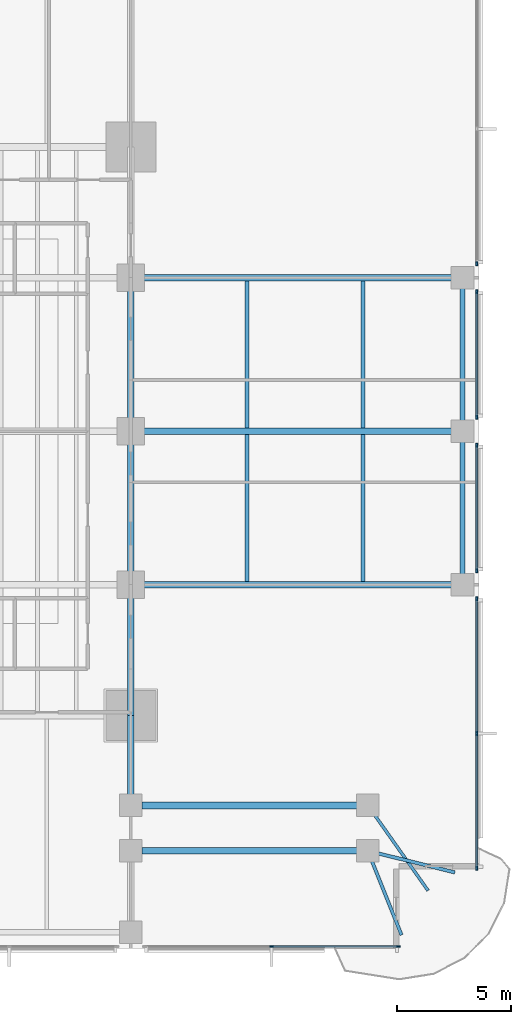
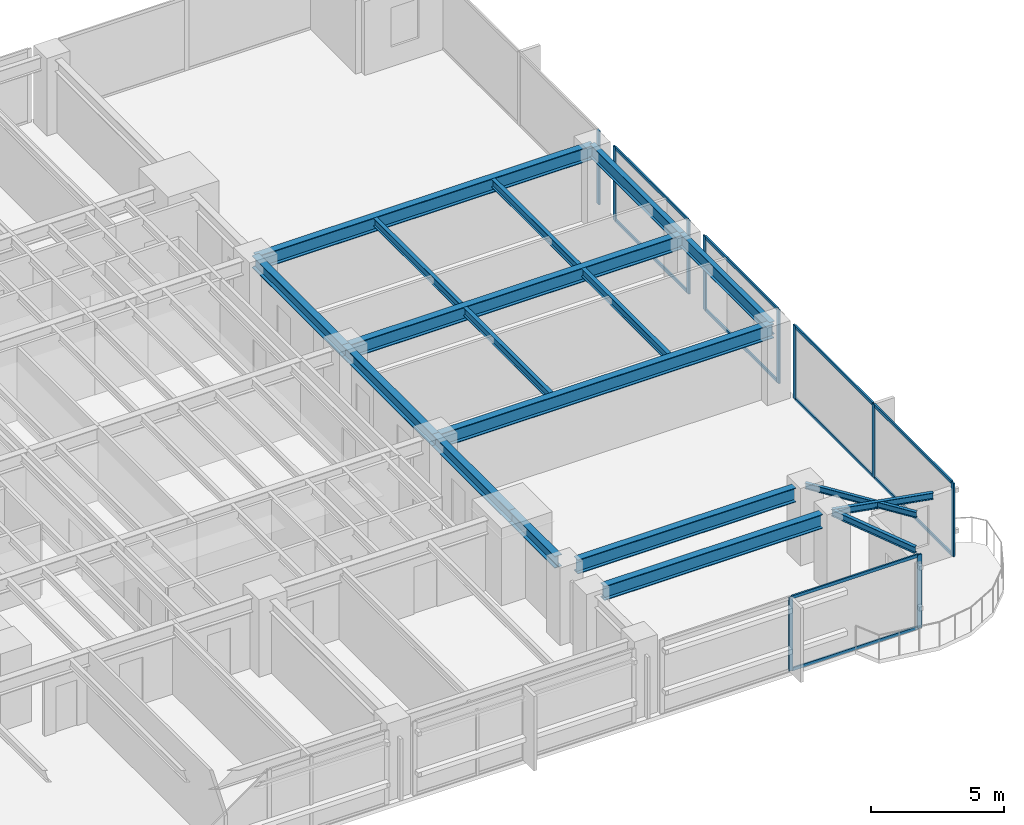
# One storey, part 4 of 15: 20 members, 18 beams, 5 elements without a shape of their own.
"""IFC4 building model written with IfcOpenShell, lengths in metres."""

import ifcopenshell
import ifcopenshell.guid

model = None  # the IFC model being written
_history = None  # IfcOwnerHistory: only IFC2X3 demands one
_inside = {}  # id of a spatial element -> (the spatial element, [elements in it])
_under = {}  # id of a project, library or spatial element -> (it, [spatial elements below it])
_declared = {}  # id of a project -> (the project, [libraries it declares])
_typed = {}  # id of a type object -> (the type object, [elements of that type])
_made_of = {}  # id of a material, layer set ... -> (it, [elements and type objects made of it])


def new_model(schema):
    """Start an empty IFC model of exactly this schema.

    Asked for "IFC4X3", IfcOpenShell would pick the latest addendum, in which some entities
    have other attributes; the version numbers below select the first issue.
    IFC2X3 requires an IfcOwnerHistory on every rooted entity: one is made here for all.
    """
    global model, _history
    if schema == "IFC4X3":
        model = ifcopenshell.file(schema_version=(4, 3, 0, 0))
    else:
        model = ifcopenshell.file(schema=schema)
    _inside.clear()
    _under.clear()
    _declared.clear()
    _typed.clear()
    _made_of.clear()
    _history = None
    if model.schema == "IFC2X3":
        org = make("IfcOrganization", Name="unknown")
        user = make(
            "IfcPersonAndOrganization",
            ThePerson=make("IfcPerson", FamilyName="unknown"),
            TheOrganization=org,
        )
        app = make(
            "IfcApplication",
            ApplicationDeveloper=org,
            Version="unknown",
            ApplicationFullName="unknown",
            ApplicationIdentifier="unknown",
        )
        _history = make(
            "IfcOwnerHistory",
            OwningUser=user,
            OwningApplication=app,
            ChangeAction="ADDED",
            CreationDate=0,
        )
    return model


def make(cls, **values):
    """One entity of the class cls with the attributes given. An attribute that is None is left unset."""
    return model.create_entity(
        cls, **{name: value for name, value in values.items() if value is not None}
    )


def rooted(cls, **values):
    """An entity with a GlobalId (a new one), such as an element, a storey or a relation."""
    return make(cls, GlobalId=ifcopenshell.guid.new(), OwnerHistory=_history, **values)


def si_unit(unit_type, name, prefix=None):
    """IfcSIUnit, for example si_unit("LENGTHUNIT", "METRE", prefix="MILLI")."""
    return make("IfcSIUnit", UnitType=unit_type, Prefix=prefix, Name=name)


def assignment(units):
    """IfcUnitAssignment: the units of a project."""
    return None if units is None else make("IfcUnitAssignment", Units=units)


def point(xyz):
    """IfcCartesianPoint."""
    return None if xyz is None else make("IfcCartesianPoint", Coordinates=xyz)


def direction(xyz):
    """IfcDirection."""
    return None if xyz is None else make("IfcDirection", DirectionRatios=xyz)


def frame(location, z_axis=None, x_axis=None):
    """IfcAxis2Placement3D, a coordinate frame: its origin and axes. An axis left out is left unset."""
    return make(
        "IfcAxis2Placement3D",
        Location=point(location),
        Axis=direction(z_axis),
        RefDirection=direction(x_axis),
    )


def frame_2d(location, x_axis=None):
    """IfcAxis2Placement2D, a coordinate frame in the plane: its origin and x axis."""
    return make(
        "IfcAxis2Placement2D", Location=point(location), RefDirection=direction(x_axis)
    )


def origin():
    """The frame at (0, 0, 0) with its axes left unset."""
    return frame((0.0, 0.0, 0.0))


def origin_2d():
    """The frame at (0, 0) in the plane with its x axis left unset."""
    return frame_2d((0.0, 0.0))


def place(relative_to, where):
    """IfcLocalPlacement: puts the frame where relative to a parent placement (None: the world)."""
    return make(
        "IfcLocalPlacement", PlacementRelTo=relative_to, RelativePlacement=where
    )


def context(
    kind, dimensions, precision=None, world=None, true_north=None, identifier=None
):
    """IfcGeometricRepresentationContext, for example the 3D "Model" context."""
    return make(
        "IfcGeometricRepresentationContext",
        ContextIdentifier=identifier,
        ContextType=kind,
        CoordinateSpaceDimension=dimensions,
        Precision=precision,
        WorldCoordinateSystem=world,
        TrueNorth=true_north,
    )


def subcontext(parent, identifier, kind, view, scale=None):
    """IfcGeometricRepresentationSubContext, for example "Body" below "Model"."""
    return make(
        "IfcGeometricRepresentationSubContext",
        ContextIdentifier=identifier,
        ContextType=kind,
        ParentContext=parent,
        TargetScale=scale,
        TargetView=view,
    )


def project(units=None, contexts=None):
    """IfcProject with its units and contexts."""
    return rooted(
        "IfcProject",
        Name="project",
        RepresentationContexts=contexts,
        UnitsInContext=assignment(units),
    )


def spatial(cls, under=None, at=None, **own):
    """A site, building, storey or space (cls), placed at a placement, below another one or the project."""
    s = rooted(cls, ObjectPlacement=at, **own)
    if under is not None:
        _under.setdefault(under.id(), (under, []))[1].append(s)
    return s


def profile(cls, at=None, kind="AREA", **sizes):
    """A parametric profile (cls). Its sizes go by their IFC names, for example OverallWidth=200.0."""
    return make(cls, ProfileType=kind, Position=at, **sizes)


def rectangle(**sizes):
    """IfcRectangleProfileDef."""
    return profile("IfcRectangleProfileDef", **sizes)


def i_section(**sizes):
    """IfcIShapeProfileDef."""
    return profile("IfcIShapeProfileDef", **sizes)


def extrude(swept, where, along, depth):
    """IfcExtrudedAreaSolid: the profile swept, set in the frame where, extruded along a direction by depth."""
    return make(
        "IfcExtrudedAreaSolid",
        SweptArea=swept,
        Position=where,
        ExtrudedDirection=direction(along),
        Depth=depth,
    )


def shape(context_of_items, identifier, shape_type, items):
    """IfcShapeRepresentation: the items that make up one representation, for example the "Body"."""
    return make(
        "IfcShapeRepresentation",
        ContextOfItems=context_of_items,
        RepresentationIdentifier=identifier,
        RepresentationType=shape_type,
        Items=items,
    )


def material(Name=None, Category=None):
    """IfcMaterial."""
    return make("IfcMaterial", Name=Name, Category=Category)


def layer(
    of_material, thickness, ventilated=None, Name=None, Category=None, Priority=None
):
    """IfcMaterialLayer: one layer of a wall or slab, of a material (None: an air gap)."""
    return make(
        "IfcMaterialLayer",
        Material=of_material,
        LayerThickness=thickness,
        IsVentilated=ventilated,
        Name=Name,
        Category=Category,
        Priority=Priority,
    )


def layer_set(layers, Name=None):
    """IfcMaterialLayerSet."""
    return make("IfcMaterialLayerSet", MaterialLayers=layers, LayerSetName=Name)


def material_profile(
    of_material, cross_section, Name=None, Category=None, Priority=None
):
    """IfcMaterialProfile: a cross section and its material."""
    return make(
        "IfcMaterialProfile",
        Name=Name,
        Material=of_material,
        Profile=cross_section,
        Priority=Priority,
        Category=Category,
    )


def profile_set(profiles, Name=None, composite=None):
    """IfcMaterialProfileSet."""
    return make(
        "IfcMaterialProfileSet",
        Name=Name,
        MaterialProfiles=profiles,
        CompositeProfile=composite,
    )


def made_of(thing, what):
    """Note that an element or type object is made of a material, layer set ...; save() writes the relation."""
    if what is not None:
        _made_of.setdefault(what.id(), (what, []))[1].append(thing)
    return thing


def type_object(cls, material=None, **own):
    """A type object (cls), such as IfcWallType, which elements share."""
    return made_of(rooted(cls, **own), material)


def element(
    cls,
    number,
    at=None,
    inside=None,
    cuts=None,
    type_object=None,
    material=None,
    context=None,
    identifier="Body",
    shape_type=None,
    held_by="IfcProductDefinitionShape",
    body=None,
    shapes=None,
    **own,
):
    """One element of the class cls, such as IfcWall. Its Tag is "e" and its number.

    at: its placement. inside: the storey or other place that contains it. cuts: it is an
    opening in that element (IfcRelVoidsElement). A single representation is given by context,
    identifier, shape_type and body (its items); several are given by shapes. held_by: the class
    of the entity that holds the representations. save() writes the other relations.
    """
    e = rooted(cls, Tag="e%d" % number, ObjectPlacement=at, **own)
    if body is not None:
        shapes = [shape(context, identifier, shape_type, body)]
    if shapes is not None:
        e.Representation = make(held_by, Representations=shapes)
    if inside is not None:
        _inside.setdefault(inside.id(), (inside, []))[1].append(e)
    if cuts is not None:
        rooted(
            "IfcRelVoidsElement", RelatingBuildingElement=cuts, RelatedOpeningElement=e
        )
    if type_object is not None:
        _typed.setdefault(type_object.id(), (type_object, []))[1].append(e)
    return made_of(e, material)


def aggregate(whole, parts):
    """IfcRelAggregates: a whole, such as a stair, and the parts it consists of."""
    return rooted("IfcRelAggregates", RelatingObject=whole, RelatedObjects=parts)


def save(model, path):
    """Write the relations noted so far, then the file.

    IfcRelAggregates (storeys below a building ...), IfcRelContainedInSpatialStructure (elements
    in a storey), IfcRelDefinesByType, IfcRelAssociatesMaterial and IfcRelDeclares: one each for
    every whole, place, type object, material and project.
    """
    for whole, parts in _under.values():
        aggregate(whole, parts)
    for where, things in _inside.values():
        rooted(
            "IfcRelContainedInSpatialStructure",
            RelatedElements=things,
            RelatingStructure=where,
        )
    for kind, things in _typed.values():
        rooted("IfcRelDefinesByType", RelatedObjects=things, RelatingType=kind)
    for what, things in _made_of.values():
        rooted("IfcRelAssociatesMaterial", RelatedObjects=things, RelatingMaterial=what)
    for by, libraries in _declared.values():
        rooted("IfcRelDeclares", RelatingContext=by, RelatedDefinitions=libraries)
    model.write(path)


model = new_model("IFC4")

# Units and contexts
model_context = context("Model", 3, precision=1e-05, world=origin(), true_north=direction((0.0, 1.0)))
body_context = subcontext(model_context, "Body", "Model", "MODEL_VIEW")
ifc_project = project(units=[si_unit("LENGTHUNIT", "METRE"), si_unit("AREAUNIT", "SQUARE_METRE"), si_unit("VOLUMEUNIT", "CUBIC_METRE"), si_unit("PLANEANGLEUNIT", "RADIAN"), si_unit("MASSUNIT", "GRAM", prefix="KILO")], contexts=[model_context])

# Site, building, storey
site_placement = place(None, origin())
site = spatial("IfcSite", under=ifc_project, at=site_placement, CompositionType="ELEMENT")
building_placement = place(site_placement, origin())
building = spatial("IfcBuilding", under=site, at=building_placement, Name="Kinhvarn Gate Tower", CompositionType="ELEMENT")
storey_placement = place(building_placement, frame((0.0, 0.0, 78.85009765625)))
storey = spatial("IfcBuildingStorey", under=building, at=storey_placement, Name="L20", CompositionType="ELEMENT", Elevation=78.85009765625)

# Curtain wall, members
ifc_material_1 = material(Name="Anodised aluminium AW-6063", Category="aluminium")
ifc_layer = layer(ifc_material_1, 0.179931640625)
ifc_layer_set = layer_set([ifc_layer], Name="Anodised aluminium AW-6063")
curtain_wall_type = type_object("IfcCurtainWallType", Name="CW-SYS-2", PredefinedType="NOTDEFINED", material=ifc_layer_set)
curtain_wall_1_placement = place(storey_placement, origin())
curtain_wall_1 = element("IfcCurtainWall", 1, at=curtain_wall_1_placement, inside=storey, type_object=curtain_wall_type, Name="Curtain Wall CW2 (L20)", PredefinedType="NOTDEFINED")
ifc_material_profile_1 = material_profile(ifc_material_1, rectangle(XDim=0.070068359375, YDim=0.179931640625, at=origin_2d()), Name="ALU 70x180")
ifc_profile_set_1 = profile_set([ifc_material_profile_1], Name="Anodised aluminium AW-6063")
member_type_1 = type_object("IfcMemberType", Name="CW-MUL-180", PredefinedType="MULLION", material=ifc_profile_set_1)
member_1_placement = place(storey_placement, frame((44.389892578125, 2.590087890625, 0.0), z_axis=(0.0, 0.0, 1.0), x_axis=(0.0, 1.0, 0.0)))
member_1 = element("IfcMember", 2, at=member_1_placement, type_object=member_type_1, Name="CW2 mullion 2", PredefinedType="MULLION", context=body_context, shape_type="SweptSolid", body=[
    extrude(rectangle(XDim=0.070068359375, YDim=0.179931640625, at=origin_2d()), origin(), (0.0, 0.0, 1.0), 3.369873046875),
])
member_2_placement = place(storey_placement, frame((49.965087890625, 2.590087890625, 0.0), z_axis=(0.0, 0.0, 1.0), x_axis=(0.0, 1.0, 0.0)))
member_2 = element("IfcMember", 3, at=member_2_placement, type_object=member_type_1, Name="CW2 mullion 3", PredefinedType="MULLION", context=body_context, shape_type="SweptSolid", body=[
    extrude(rectangle(XDim=0.070068359375, YDim=0.179931640625, at=origin_2d()), origin(), (0.0, 0.0, 1.0), 3.369873046875),
])

curtain_wall_2_placement = place(storey_placement, origin())
curtain_wall_2 = element("IfcCurtainWall", 4, at=curtain_wall_2_placement, inside=storey, type_object=curtain_wall_type, Name="Curtain Wall CW2 (L20)", PredefinedType="NOTDEFINED")
member_3_placement = place(storey_placement, frame((53.409912109375, 6.034912109375, 0.0), z_axis=(0.0, 0.0, 1.0), x_axis=(-1.0, 0.0, 0.0)))
member_3 = element("IfcMember", 5, at=member_3_placement, type_object=member_type_1, Name="CW2 mullion 1", PredefinedType="MULLION", context=body_context, shape_type="SweptSolid", body=[
    extrude(rectangle(XDim=0.070068359375, YDim=0.179931640625, at=origin_2d()), origin(), (0.0, 0.0, 1.0), 3.369873046875),
])
member_4_placement = place(storey_placement, frame((53.409912109375, 11.9599609375, 0.0), z_axis=(0.0, 0.0, 1.0), x_axis=(-1.0, 0.0, 0.0)))
member_4 = element("IfcMember", 6, at=member_4_placement, type_object=member_type_1, Name="CW2 mullion 2", PredefinedType="MULLION", context=body_context, shape_type="SweptSolid", body=[
    extrude(rectangle(XDim=0.070068359375, YDim=0.179931640625, at=origin_2d()), origin(), (0.0, 0.0, 1.0), 3.369873046875),
])
member_5_placement = place(storey_placement, frame((53.409912109375, 17.885009765625, 0.0), z_axis=(0.0, 0.0, 1.0), x_axis=(-1.0, 0.0, 0.0)))
member_5 = element("IfcMember", 7, at=member_5_placement, type_object=member_type_1, Name="CW2 mullion 3", PredefinedType="MULLION", context=body_context, shape_type="SweptSolid", body=[
    extrude(rectangle(XDim=0.070068359375, YDim=0.179931640625, at=origin_2d()), origin(), (0.0, 0.0, 1.0), 3.369873046875),
])

curtain_wall_3_placement = place(storey_placement, origin())
curtain_wall_3 = element("IfcCurtainWall", 8, at=curtain_wall_3_placement, inside=storey, type_object=curtain_wall_type, Name="Curtain Wall CW2 (L20)", PredefinedType="NOTDEFINED")
member_6_placement = place(storey_placement, frame((53.409912109375, 19.114990234375, 0.0), z_axis=(0.0, 0.0, 1.0), x_axis=(-1.0, 0.0, 0.0)))
member_6 = element("IfcMember", 9, at=member_6_placement, type_object=member_type_1, Name="CW2 mullion 1", PredefinedType="MULLION", context=body_context, shape_type="SweptSolid", body=[
    extrude(rectangle(XDim=0.070068359375, YDim=0.179931640625, at=origin_2d()), origin(), (0.0, 0.0, 1.0), 3.369873046875),
])
member_7_placement = place(storey_placement, frame((53.409912109375, 24.635009765625, 0.0), z_axis=(0.0, 0.0, 1.0), x_axis=(-1.0, 0.0, 0.0)))
member_7 = element("IfcMember", 10, at=member_7_placement, type_object=member_type_1, Name="CW2 mullion 2", PredefinedType="MULLION", context=body_context, shape_type="SweptSolid", body=[
    extrude(rectangle(XDim=0.070068359375, YDim=0.179931640625, at=origin_2d()), origin(), (0.0, 0.0, 1.0), 3.369873046875),
])

curtain_wall_4_placement = place(storey_placement, origin())
curtain_wall_4 = element("IfcCurtainWall", 11, at=curtain_wall_4_placement, inside=storey, type_object=curtain_wall_type, Name="Curtain Wall CW2 (L20)", PredefinedType="NOTDEFINED")
member_8_placement = place(storey_placement, frame((53.409912109375, 25.864990234375, 0.0), z_axis=(0.0, 0.0, 1.0), x_axis=(-1.0, 0.0, 0.0)))
member_8 = element("IfcMember", 12, at=member_8_placement, type_object=member_type_1, Name="CW2 mullion 1", PredefinedType="MULLION", context=body_context, shape_type="SweptSolid", body=[
    extrude(rectangle(XDim=0.070068359375, YDim=0.179931640625, at=origin_2d()), origin(), (0.0, 0.0, 1.0), 3.369873046875),
])
member_9_placement = place(storey_placement, frame((53.409912109375, 31.385009765625, 0.0), z_axis=(0.0, 0.0, 1.0), x_axis=(-1.0, 0.0, 0.0)))
member_9 = element("IfcMember", 13, at=member_9_placement, type_object=member_type_1, Name="CW2 mullion 2", PredefinedType="MULLION", context=body_context, shape_type="SweptSolid", body=[
    extrude(rectangle(XDim=0.070068359375, YDim=0.179931640625, at=origin_2d()), origin(), (0.0, 0.0, 1.0), 3.369873046875),
])

# Curtain wall, member
curtain_wall_5_placement = place(storey_placement, origin())
curtain_wall_5 = element("IfcCurtainWall", 14, at=curtain_wall_5_placement, inside=storey, type_object=curtain_wall_type, Name="Curtain Wall CW2 (L20)", PredefinedType="NOTDEFINED")
member_10_placement = place(storey_placement, frame((53.409912109375, 32.614990234375, 0.0), z_axis=(0.0, 0.0, 1.0), x_axis=(-1.0, 0.0, 0.0)))
member_10 = element("IfcMember", 15, at=member_10_placement, type_object=member_type_1, Name="CW2 mullion 1", PredefinedType="MULLION", context=body_context, shape_type="SweptSolid", body=[
    extrude(rectangle(XDim=0.070068359375, YDim=0.179931640625, at=origin_2d()), origin(), (0.0, 0.0, 1.0), 3.369873046875),
])
aggregate(curtain_wall_5, [member_10])

# Member
ifc_material_profile_2 = material_profile(ifc_material_1, rectangle(XDim=0.070068359375, YDim=0.139892578125, at=origin_2d()), Name="ALU 70x140")
ifc_profile_set_2 = profile_set([ifc_material_profile_2], Name="Anodised aluminium AW-6063")
member_type_2 = type_object("IfcMemberType", Name="CW-TRN-140", PredefinedType="USERDEFINED", material=ifc_profile_set_2)
member_11_placement = place(storey_placement, frame((44.425048828125, 2.590087890625, 0.034912109375), z_axis=(1.0, 0.0, 0.0), x_axis=(0.0, 1.0, 0.0)))
member_11 = element("IfcMember", 16, at=member_11_placement, type_object=member_type_2, Name="CW2 transom 2.1", ObjectType="TRANSOM", PredefinedType="USERDEFINED", context=body_context, shape_type="SweptSolid", body=[
    extrude(rectangle(XDim=0.070068359375, YDim=0.139892578125, at=origin_2d()), origin(), (0.0, 0.0, 1.0), 5.5048828125),
])

member_12_placement = place(storey_placement, frame((44.425048828125, 2.590087890625, 3.3349609375), z_axis=(1.0, 0.0, 0.0), x_axis=(0.0, 1.0, 0.0)))
member_12 = element("IfcMember", 17, at=member_12_placement, type_object=member_type_2, Name="CW2 transom 2.2", ObjectType="TRANSOM", PredefinedType="USERDEFINED", context=body_context, shape_type="SweptSolid", body=[
    extrude(rectangle(XDim=0.070068359375, YDim=0.139892578125, at=origin_2d()), origin(), (0.0, 0.0, 1.0), 5.5048828125),
])

aggregate(curtain_wall_1, [member_1, member_2, member_11, member_12])

member_13_placement = place(storey_placement, frame((53.409912109375, 6.070068359375, 0.034912109375), z_axis=(0.0, 1.0, 0.0), x_axis=(-1.0, 0.0, 0.0)))
member_13 = element("IfcMember", 18, at=member_13_placement, type_object=member_type_2, Name="CW2 transom 1.1", ObjectType="TRANSOM", PredefinedType="USERDEFINED", context=body_context, shape_type="SweptSolid", body=[
    extrude(rectangle(XDim=0.070068359375, YDim=0.139892578125, at=origin_2d()), origin(), (0.0, 0.0, 1.0), 5.85498046875),
])

member_14_placement = place(storey_placement, frame((53.409912109375, 6.070068359375, 3.3349609375), z_axis=(0.0, 1.0, 0.0), x_axis=(-1.0, 0.0, 0.0)))
member_14 = element("IfcMember", 19, at=member_14_placement, type_object=member_type_2, Name="CW2 transom 1.2", ObjectType="TRANSOM", PredefinedType="USERDEFINED", context=body_context, shape_type="SweptSolid", body=[
    extrude(rectangle(XDim=0.070068359375, YDim=0.139892578125, at=origin_2d()), origin(), (0.0, 0.0, 1.0), 5.85498046875),
])

member_15_placement = place(storey_placement, frame((53.409912109375, 11.9951171875, 0.034912109375), z_axis=(0.0, 1.0, 0.0), x_axis=(-1.0, 0.0, 0.0)))
member_15 = element("IfcMember", 20, at=member_15_placement, type_object=member_type_2, Name="CW2 transom 2.1", ObjectType="TRANSOM", PredefinedType="USERDEFINED", context=body_context, shape_type="SweptSolid", body=[
    extrude(rectangle(XDim=0.070068359375, YDim=0.139892578125, at=origin_2d()), origin(), (0.0, 0.0, 1.0), 5.85498046875),
])

member_16_placement = place(storey_placement, frame((53.409912109375, 11.9951171875, 3.3349609375), z_axis=(0.0, 1.0, 0.0), x_axis=(-1.0, 0.0, 0.0)))
member_16 = element("IfcMember", 21, at=member_16_placement, type_object=member_type_2, Name="CW2 transom 2.2", ObjectType="TRANSOM", PredefinedType="USERDEFINED", context=body_context, shape_type="SweptSolid", body=[
    extrude(rectangle(XDim=0.070068359375, YDim=0.139892578125, at=origin_2d()), origin(), (0.0, 0.0, 1.0), 5.85498046875),
])

aggregate(curtain_wall_2, [member_3, member_4, member_5, member_13, member_14, member_15, member_16])

member_17_placement = place(storey_placement, frame((53.409912109375, 19.14990234375, 0.034912109375), z_axis=(0.0, 1.0, 0.0), x_axis=(-1.0, 0.0, 0.0)))
member_17 = element("IfcMember", 22, at=member_17_placement, type_object=member_type_2, Name="CW2 transom 1.1", ObjectType="TRANSOM", PredefinedType="USERDEFINED", context=body_context, shape_type="SweptSolid", body=[
    extrude(rectangle(XDim=0.070068359375, YDim=0.139892578125, at=origin_2d()), origin(), (0.0, 0.0, 1.0), 5.4501953125),
])

member_18_placement = place(storey_placement, frame((53.409912109375, 19.14990234375, 3.3349609375), z_axis=(0.0, 1.0, 0.0), x_axis=(-1.0, 0.0, 0.0)))
member_18 = element("IfcMember", 23, at=member_18_placement, type_object=member_type_2, Name="CW2 transom 1.2", ObjectType="TRANSOM", PredefinedType="USERDEFINED", context=body_context, shape_type="SweptSolid", body=[
    extrude(rectangle(XDim=0.070068359375, YDim=0.139892578125, at=origin_2d()), origin(), (0.0, 0.0, 1.0), 5.4501953125),
])

aggregate(curtain_wall_3, [member_6, member_7, member_17, member_18])

member_19_placement = place(storey_placement, frame((53.409912109375, 25.89990234375, 0.034912109375), z_axis=(0.0, 1.0, 0.0), x_axis=(-1.0, 0.0, 0.0)))
member_19 = element("IfcMember", 24, at=member_19_placement, type_object=member_type_2, Name="CW2 transom 1.1", ObjectType="TRANSOM", PredefinedType="USERDEFINED", context=body_context, shape_type="SweptSolid", body=[
    extrude(rectangle(XDim=0.070068359375, YDim=0.139892578125, at=origin_2d()), origin(), (0.0, 0.0, 1.0), 5.4501953125),
])

member_20_placement = place(storey_placement, frame((53.409912109375, 25.89990234375, 3.3349609375), z_axis=(0.0, 1.0, 0.0), x_axis=(-1.0, 0.0, 0.0)))
member_20 = element("IfcMember", 25, at=member_20_placement, type_object=member_type_2, Name="CW2 transom 1.2", ObjectType="TRANSOM", PredefinedType="USERDEFINED", context=body_context, shape_type="SweptSolid", body=[
    extrude(rectangle(XDim=0.070068359375, YDim=0.139892578125, at=origin_2d()), origin(), (0.0, 0.0, 1.0), 5.4501953125),
])

aggregate(curtain_wall_4, [member_8, member_9, member_19, member_20])

# Beams
ifc_material_2 = material(Name="Steel S355", Category="steel")
ifc_material_profile_3 = material_profile(ifc_material_2, i_section(OverallWidth=0.300048828125, OverallDepth=0.550048828125, WebThickness=0.014892578125, FlangeThickness=0.029052734375, at=origin_2d()), Name="HEB 550")
ifc_profile_set_3 = profile_set([ifc_material_profile_3], Name="Steel S355")
beam_type_1 = type_object("IfcBeamType", Name="STL-HEB550", PredefinedType="BEAM", material=ifc_profile_set_3)
beam_1_placement = place(storey_placement, frame((38.199951171875, 9.284912109375, 3.094970703125), z_axis=(0.0, 1.0, 0.0), x_axis=(-1.0, 0.0, 0.0)))
element("IfcBeam", 26, at=beam_1_placement, inside=storey, type_object=beam_type_1, Name="Floor Beam PG-15 (L20 MCE-S-A2)", PredefinedType="BEAM", context=body_context, shape_type="SweptSolid", body=[
    extrude(i_section(OverallWidth=0.300048828125, OverallDepth=0.550048828125, WebThickness=0.014892578125, FlangeThickness=0.029052734375, at=origin_2d()), origin(), (0.0, 0.0, 1.0), 3.465087890625),
])
beam_2_placement = place(storey_placement, frame((38.199951171875, 12.75, 3.094970703125), z_axis=(0.0, 1.0, 0.0), x_axis=(-1.0, 0.0, 0.0)))
element("IfcBeam", 27, at=beam_2_placement, inside=storey, type_object=beam_type_1, Name="Floor Beam PG-15 (L20 MG-E-12)", PredefinedType="BEAM", context=body_context, shape_type="SweptSolid", body=[
    extrude(i_section(OverallWidth=0.300048828125, OverallDepth=0.550048828125, WebThickness=0.014892578125, FlangeThickness=0.029052734375, at=origin_2d()), origin(), (0.0, 0.0, 1.0), 5.75),
])
for number, where, z_axis, x_axis, name in (
    (28, (38.199951171875, 18.5, 3.094970703125), (0.0, 1.0, 0.0), (-1.0, 0.0, 0.0), "Floor Beam PG-15 (L20 MG-E-18)"),
    (29, (38.199951171875, 25.25, 3.094970703125), (0.0, 1.0, 0.0), (-1.0, 0.0, 0.0), "Floor Beam PG-15 (L20 MG-E-25)"),
):
    element("IfcBeam", number, at=place(storey_placement, frame(where, z_axis=z_axis, x_axis=x_axis)), inside=storey, type_object=beam_type_1, Name=name, PredefinedType="BEAM", context=body_context, shape_type="SweptSolid", body=[
        extrude(i_section(OverallWidth=0.300048828125, OverallDepth=0.550048828125, WebThickness=0.014892578125, FlangeThickness=0.029052734375, at=origin_2d()), origin(), (0.0, 0.0, 1.0), 6.75),
    ])
ifc_material_profile_4 = material_profile(ifc_material_2, i_section(OverallWidth=0.300048828125, OverallDepth=0.64990234375, WebThickness=0.01611328125, FlangeThickness=0.031005859375, at=origin_2d()), Name="HEB 650")
ifc_profile_set_4 = profile_set([ifc_material_profile_4], Name="Steel S355")
beam_type_2 = type_object("IfcBeamType", Name="STL-HEB650", PredefinedType="BEAM", material=ifc_profile_set_4)
for number, where, z_axis, x_axis, name in (
    (30, (38.68505859375, 8.800048828125, 3.044921875), (1.0, 0.0, 0.0), (0.0, 1.0, 0.0), "Floor Beam PG-17 (L20 SP-SE1B)"),
    (31, (38.68505859375, 6.800048828125, 3.044921875), (1.0, 0.0, 0.0), (0.0, 1.0, 0.0), "Floor Beam PG-17 (L20 SP-SE1A)"),
):
    element("IfcBeam", number, at=place(storey_placement, frame(where, z_axis=z_axis, x_axis=x_axis)), inside=storey, type_object=beam_type_2, Name=name, PredefinedType="BEAM", context=body_context, shape_type="SweptSolid", body=[
        extrude(i_section(OverallWidth=0.300048828125, OverallDepth=0.64990234375, WebThickness=0.01611328125, FlangeThickness=0.031005859375, at=origin_2d()), origin(), (0.0, 0.0, 1.0), 9.449951171875),
    ])
for number, where, z_axis, x_axis, name in (
    (32, (38.199951171875, 18.5, 3.044921875), (1.0, 0.0, 0.0), (0.0, 1.0, 0.0), "Floor Beam PG-17 (L20 EW2-Y18)"),
    (33, (38.199951171875, 25.25, 3.044921875), (1.0, 0.0, 0.0), (0.0, 1.0, 0.0), "Floor Beam PG-17 (L20 EW2-Y25)"),
    (34, (38.199951171875, 32.0, 3.044921875), (1.0, 0.0, 0.0), (0.0, 1.0, 0.0), "Floor Beam PG-17 (L20 EW2-Y32)"),
):
    element("IfcBeam", number, at=place(storey_placement, frame(where, z_axis=z_axis, x_axis=x_axis)), inside=storey, type_object=beam_type_2, Name=name, PredefinedType="BEAM", context=body_context, shape_type="SweptSolid", body=[
        extrude(i_section(OverallWidth=0.300048828125, OverallDepth=0.64990234375, WebThickness=0.01611328125, FlangeThickness=0.031005859375, at=origin_2d()), origin(), (0.0, 0.0, 1.0), 14.580078125),
    ])
ifc_material_profile_5 = material_profile(ifc_material_2, i_section(OverallWidth=0.135009765625, OverallDepth=0.27001953125, WebThickness=0.006591796875, FlangeThickness=0.01025390625, at=origin_2d()), Name="IPE 270")
ifc_profile_set_5 = profile_set([ifc_material_profile_5], Name="Steel S355")
beam_type_3 = type_object("IfcBeamType", Name="STL-IPE270", PredefinedType="JOIST", material=ifc_profile_set_5)
beam_3_placement = place(storey_placement, frame((48.6201171875, 8.800048828125, 3.23486328125), z_axis=(0.57709644225, -0.81667600451, 0.0), x_axis=(0.81667600451, 0.57709644225, 0.0)))
element("IfcBeam", 35, at=beam_3_placement, inside=storey, type_object=beam_type_3, Name="Floor Joist SB-01 (L20 BAL-B3-L21)", PredefinedType="JOIST", context=body_context, shape_type="SweptSolid", body=[
    extrude(i_section(OverallWidth=0.135009765625, OverallDepth=0.27001953125, WebThickness=0.006591796875, FlangeThickness=0.01025390625, at=origin_2d()), origin(), (0.0, 0.0, 1.0), 4.591796875),
])
ifc_material_profile_6 = material_profile(ifc_material_2, i_section(OverallWidth=0.14990234375, OverallDepth=0.300048828125, WebThickness=0.007080078125, FlangeThickness=0.0107421875, at=origin_2d()), Name="IPE 300")
ifc_profile_set_6 = profile_set([ifc_material_profile_6], Name="Steel S355")
beam_type_4 = type_object("IfcBeamType", Name="STL-IPE300", PredefinedType="JOIST", material=ifc_profile_set_6)
beam_4_placement = place(storey_placement, frame((48.6201171875, 6.800048828125, 3.219970703125), z_axis=(0.97058851083, -0.240744558911, 0.0), x_axis=(0.240744558911, 0.97058851083, 0.0)))
element("IfcBeam", 36, at=beam_4_placement, inside=storey, type_object=beam_type_4, Name="Floor Joist SB-02 (L20 BAL-B1-L21)", PredefinedType="JOIST", context=body_context, shape_type="SweptSolid", body=[
    extrude(i_section(OverallWidth=0.14990234375, OverallDepth=0.300048828125, WebThickness=0.007080078125, FlangeThickness=0.0107421875, at=origin_2d()), origin(), (0.0, 0.0, 1.0), 3.94580078125),
])
beam_5_placement = place(storey_placement, frame((48.6201171875, 6.800048828125, 3.219970703125), z_axis=(0.371390676354, -0.928476690885, 0.0), x_axis=(0.928476690885, 0.371390676354, 0.0)))
element("IfcBeam", 37, at=beam_5_placement, inside=storey, type_object=beam_type_4, Name="Floor Joist SB-02 (L20 BAL-B2-L21)", PredefinedType="JOIST", context=body_context, shape_type="SweptSolid", body=[
    extrude(i_section(OverallWidth=0.14990234375, OverallDepth=0.300048828125, WebThickness=0.007080078125, FlangeThickness=0.0107421875, at=origin_2d()), origin(), (0.0, 0.0, 1.0), 3.98486328125),
])
ifc_material_profile_7 = material_profile(ifc_material_2, i_section(OverallWidth=0.169921875, OverallDepth=0.360107421875, WebThickness=0.008056640625, FlangeThickness=0.0126953125, at=origin_2d()), Name="IPE 360")
ifc_profile_set_7 = profile_set([ifc_material_profile_7], Name="Steel S355")
beam_type_5 = type_object("IfcBeamType", Name="STL-IPE360", PredefinedType="JOIST", material=ifc_profile_set_7)
for number, where, z_axis, x_axis, name in (
    (38, (43.300048828125, 18.64990234375, 3.18994140625), (0.0, 1.0, 0.0), (-1.0, 0.0, 0.0), "Floor Joist SB-04 (L20 JC-X433-1)"),
    (39, (43.300048828125, 25.39990234375, 3.18994140625), (0.0, 1.0, 0.0), (-1.0, 0.0, 0.0), "Floor Joist SB-04 (L20 JC-X433-2)"),
    (40, (48.409912109375, 18.64990234375, 3.18994140625), (0.0, 1.0, 0.0), (-1.0, 0.0, 0.0), "Floor Joist SB-04 (L20 JC-X484-1)"),
    (41, (48.409912109375, 25.39990234375, 3.18994140625), (0.0, 1.0, 0.0), (-1.0, 0.0, 0.0), "Floor Joist SB-04 (L20 JC-X484-2)"),
):
    element("IfcBeam", number, at=place(storey_placement, frame(where, z_axis=z_axis, x_axis=x_axis)), inside=storey, type_object=beam_type_5, Name=name, PredefinedType="JOIST", context=body_context, shape_type="SweptSolid", body=[
        extrude(i_section(OverallWidth=0.169921875, OverallDepth=0.360107421875, WebThickness=0.008056640625, FlangeThickness=0.0126953125, at=origin_2d()), origin(), (0.0, 0.0, 1.0), 6.4501953125),
    ])
ifc_material_profile_8 = material_profile(ifc_material_2, i_section(OverallWidth=0.219970703125, OverallDepth=0.60009765625, WebThickness=0.011962890625, FlangeThickness=0.01904296875, at=origin_2d()), Name="IPE 600")
ifc_profile_set_8 = profile_set([ifc_material_profile_8], Name="Steel S355")
beam_type_6 = type_object("IfcBeamType", Name="STL-IPE600", PredefinedType="SPANDREL", material=ifc_profile_set_8)
for number, where, z_axis, x_axis, name in (
    (42, (52.780029296875, 18.5, 3.06982421875), (0.0, 1.0, 0.0), (-1.0, 0.0, 0.0), "Floor Spandrel SB-09 (L20 SP-E2)"),
    (43, (52.780029296875, 25.25, 3.06982421875), (0.0, 1.0, 0.0), (-1.0, 0.0, 0.0), "Floor Spandrel SB-09 (L20 SP-E3)"),
):
    element("IfcBeam", number, at=place(storey_placement, frame(where, z_axis=z_axis, x_axis=x_axis)), inside=storey, type_object=beam_type_6, Name=name, PredefinedType="SPANDREL", context=body_context, shape_type="SweptSolid", body=[
        extrude(i_section(OverallWidth=0.219970703125, OverallDepth=0.60009765625, WebThickness=0.011962890625, FlangeThickness=0.01904296875, at=origin_2d()), origin(), (0.0, 0.0, 1.0), 6.75),
    ])

save(model, "model.ifc")
